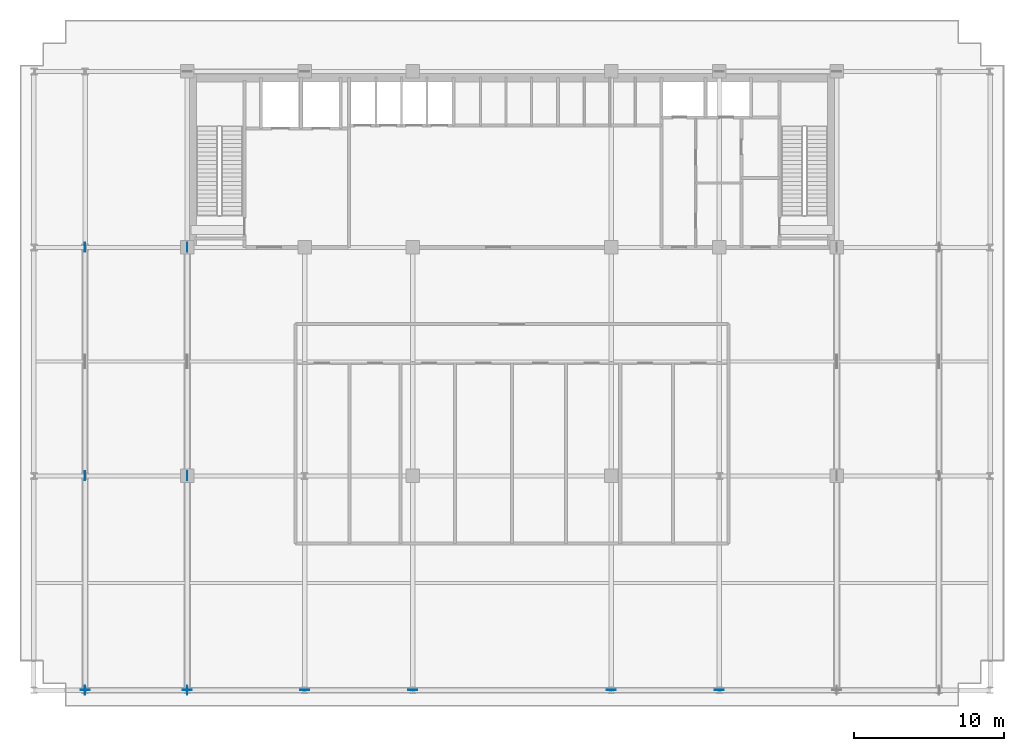
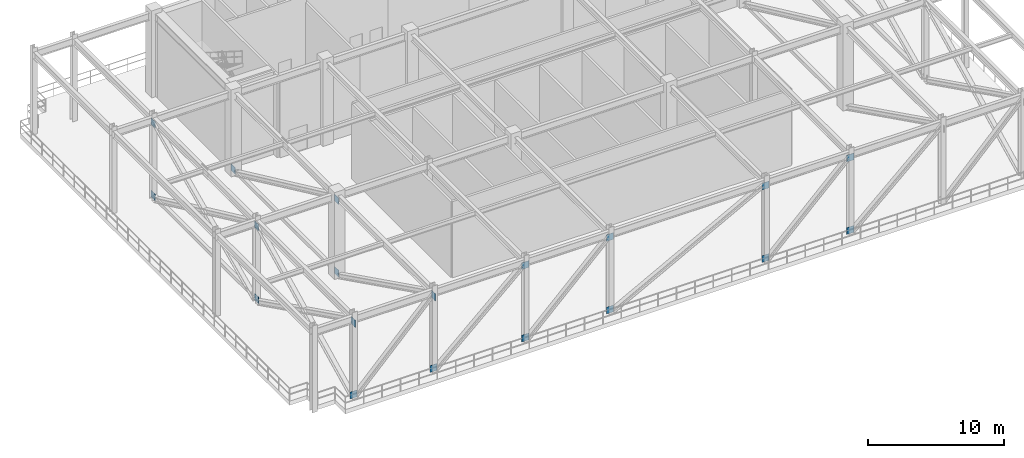
# One storey, part 8 of 16: 19 plates.
"""IFC4 building model written with IfcOpenShell, lengths in metres."""

from ifc_helpers import new_model, si_unit, direction, frame, origin, origin_2d, place, context, subcontext, project, spatial, rectangle, extrude, source, transform, mapped, material, layer, layer_set, type_object, element, save


model = new_model("IFC4")

# Units and contexts
model_context = context("Model", 3, precision=1e-05, world=origin(), true_north=direction((0.0, 1.0)))
body_context = subcontext(model_context, "Body", "Model", "MODEL_VIEW")
ifc_project = project(units=[si_unit("LENGTHUNIT", "METRE"), si_unit("AREAUNIT", "SQUARE_METRE"), si_unit("VOLUMEUNIT", "CUBIC_METRE"), si_unit("PLANEANGLEUNIT", "RADIAN"), si_unit("MASSUNIT", "GRAM", prefix="KILO")], contexts=[model_context])

# Site, building, storey
site_placement = place(None, origin())
site = spatial("IfcSite", under=ifc_project, at=site_placement, CompositionType="ELEMENT")
building_placement = place(site_placement, origin())
building = spatial("IfcBuilding", under=site, at=building_placement, Name="Trelvane Seafront Commons", CompositionType="ELEMENT")
storey_placement = place(building_placement, frame((0.0, 0.0, 73.89990234375)))
storey = spatial("IfcBuildingStorey", under=building, at=storey_placement, Name="L19", CompositionType="ELEMENT", Elevation=73.89990234375)

# Plates
ifc_material = material(Name="Steel SM355 (S355)", Category="steel")
ifc_layer = layer(ifc_material, 0.031982421875, Name="STR-PLT-GUS2")
ifc_layer_set = layer_set([ifc_layer], Name="Steel SM355 (S355)")
plate_type = type_object("IfcPlateType", Name="STR-PLT-GUS2", PredefinedType="SHEET", material=ifc_layer_set)
shared_shape_1 = source(origin(), body_context, "Body", "SweptSolid", [
    extrude(rectangle(XDim=0.031982421875, YDim=0.60009765625, at=origin_2d()), origin(), (0.0, 0.0, 1.0), 0.60009765625),
])
for number, where, z_axis, x_axis, name in (
    (1, (8.800048828125, 33.39990234375, -0.02001953125), (0.0, 0.0, 1.0), (1.0, 0.0, 0.0), "L19 Brace Connection Gusset Plate GP-001"),
    (2, (8.800048828125, 18.199951171875, 6.489990234375), (0.0, 0.0, 1.0), (1.0, 0.0, 0.0), "L19 Brace Connection Gusset Plate GP-002"),
    (3, (8.800048828125, 18.199951171875, -0.02001953125), (0.0, 0.0, 1.0), (1.0, 0.0, 0.0), "L19 Brace Connection Gusset Plate GP-003"),
    (4, (8.800048828125, 3.949951171875, 6.489990234375), (0.0, 0.0, 1.0), (1.0, 0.0, 0.0), "L19 Brace Connection Gusset Plate GP-004"),
    (5, (15.60009765625, 33.39990234375, -0.02001953125), (0.0, 0.0, 1.0), (1.0, 0.0, 0.0), "L19 Brace Connection Gusset Plate GP-005"),
    (6, (15.60009765625, 18.199951171875, 6.489990234375), (0.0, 0.0, 1.0), (1.0, 0.0, 0.0), "L19 Brace Connection Gusset Plate GP-006"),
    (7, (15.60009765625, 18.199951171875, -0.02001953125), (0.0, 0.0, 1.0), (1.0, 0.0, 0.0), "L19 Brace Connection Gusset Plate GP-007"),
    (8, (15.60009765625, 3.949951171875, 6.489990234375), (0.0, 0.0, 1.0), (1.0, 0.0, 0.0), "L19 Brace Connection Gusset Plate GP-008"),
    (9, (8.800048828125, 33.39990234375, 6.489990234375), (0.0, 0.0, 1.0), (1.0, 0.0, 0.0), "L19 Brace Connection Gusset Plate GP-032"),
):
    element("IfcPlate", number, at=place(storey_placement, frame(where, z_axis=z_axis, x_axis=x_axis)), inside=storey, type_object=plate_type, Name=name, PredefinedType="SHEET", context=body_context, shape_type="MappedRepresentation", body=[
        mapped(shared_shape_1, transform((0.0, 0.0, 0.0), x_axis=(1.0, 0.0, 0.0), y_axis=(0.0, 1.0, 0.0), z_axis=(0.0, 0.0, 1.0), scale=1.0)),
    ])
shared_shape_2 = source(origin(), body_context, "Body", "SweptSolid", [
    extrude(rectangle(XDim=0.60009765625, YDim=0.031982421875, at=origin_2d()), origin(), (0.0, 0.0, 1.0), 0.60009765625),
])
for number, where, z_axis, x_axis, name in (
    (10, (8.800048828125, 3.949951171875, -0.02001953125), (0.0, 0.0, 1.0), (1.0, 0.0, 0.0), "L19 Brace Connection Gusset Plate GP-017"),
    (11, (15.60009765625, 3.949951171875, -0.02001953125), (0.0, 0.0, 1.0), (1.0, 0.0, 0.0), "L19 Brace Connection Gusset Plate GP-020"),
    (12, (23.39990234375, 3.949951171875, 6.489990234375), (0.0, 0.0, 1.0), (1.0, 0.0, 0.0), "L19 Brace Connection Gusset Plate GP-021"),
    (13, (23.39990234375, 3.949951171875, -0.02001953125), (0.0, 0.0, 1.0), (1.0, 0.0, 0.0), "L19 Brace Connection Gusset Plate GP-024"),
    (14, (30.60009765625, 3.949951171875, 6.489990234375), (0.0, 0.0, 1.0), (1.0, 0.0, 0.0), "L19 Brace Connection Gusset Plate GP-025"),
    (15, (30.60009765625, 3.949951171875, -0.02001953125), (0.0, 0.0, 1.0), (1.0, 0.0, 0.0), "L19 Brace Connection Gusset Plate GP-026"),
    (16, (43.800048828125, 3.949951171875, 6.489990234375), (0.0, 0.0, 1.0), (1.0, 0.0, 0.0), "L19 Brace Connection Gusset Plate GP-027"),
    (17, (43.800048828125, 3.949951171875, -0.02001953125), (0.0, 0.0, 1.0), (1.0, 0.0, 0.0), "L19 Brace Connection Gusset Plate GP-028"),
    (18, (51.0, 3.949951171875, 6.489990234375), (0.0, 0.0, 1.0), (1.0, 0.0, 0.0), "L19 Brace Connection Gusset Plate GP-029"),
    (19, (51.0, 3.949951171875, -0.02001953125), (0.0, 0.0, 1.0), (1.0, 0.0, 0.0), "L19 Brace Connection Gusset Plate GP-030"),
):
    element("IfcPlate", number, at=place(storey_placement, frame(where, z_axis=z_axis, x_axis=x_axis)), inside=storey, type_object=plate_type, Name=name, PredefinedType="SHEET", context=body_context, shape_type="MappedRepresentation", body=[
        mapped(shared_shape_2, transform((0.0, 0.0, 0.0), x_axis=(1.0, 0.0, 0.0), y_axis=(0.0, 1.0, 0.0), z_axis=(0.0, 0.0, 1.0), scale=1.0)),
    ])

save(model, "model.ifc")
